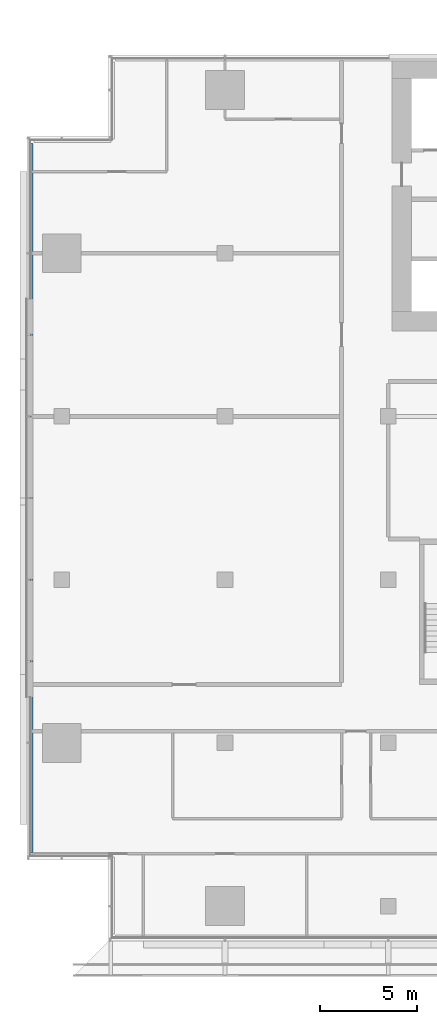
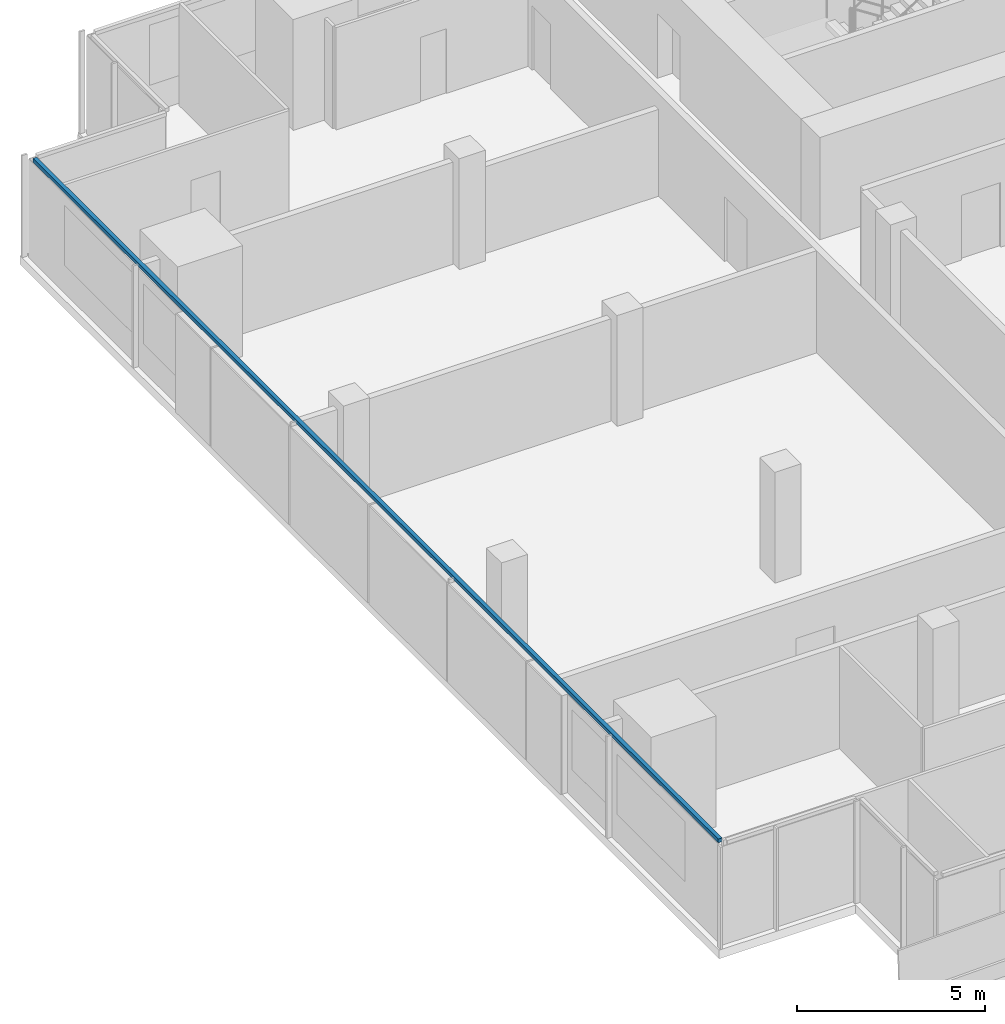
# One storey, part 5 of 30: 1 member, 1 element without a shape of its own.
"""IFC4 building model written with IfcOpenShell, lengths in metres."""

from ifc_helpers import new_model, si_unit, direction, frame, origin, origin_2d, place, context, subcontext, project, spatial, rectangle, extrude, material, material_profile, profile_set, type_object, element, aggregate, save


model = new_model("IFC4")

# Units and contexts
model_context = context("Model", 3, precision=1e-05, world=origin(), true_north=direction((0.0, 1.0)))
body_context = subcontext(model_context, "Body", "Model", "MODEL_VIEW")
ifc_project = project(units=[si_unit("LENGTHUNIT", "METRE"), si_unit("AREAUNIT", "SQUARE_METRE"), si_unit("VOLUMEUNIT", "CUBIC_METRE"), si_unit("PLANEANGLEUNIT", "RADIAN"), si_unit("MASSUNIT", "GRAM", prefix="KILO")], contexts=[model_context])

# Site, building, storey
site_placement = place(None, origin())
site = spatial("IfcSite", under=ifc_project, at=site_placement, CompositionType="ELEMENT")
building_placement = place(site_placement, origin())
building = spatial("IfcBuilding", under=site, at=building_placement, Name="Saffron Gate Tower", CompositionType="ELEMENT")
storey_placement = place(building_placement, frame((0.0, 0.0, 95.25)))
storey = spatial("IfcBuildingStorey", under=building, at=storey_placement, Name="L21", CompositionType="ELEMENT", Elevation=95.25)

# Curtain wall, member
ifc_material = material(Name="Aluminium, bronze anodised", Category="aluminium")
curtain_wall_type = type_object("IfcCurtainWallType", Name="CWS2 curtain wall side facades", PredefinedType="NOTDEFINED", material=ifc_material)
curtain_wall_placement = place(storey_placement, origin())
curtain_wall = element("IfcCurtainWall", 1, at=curtain_wall_placement, inside=storey, type_object=curtain_wall_type, Name="CWS2 run 10", PredefinedType="NOTDEFINED")
ifc_material_profile = material_profile(ifc_material, rectangle(XDim=0.1201171875, YDim=0.1201171875, at=origin_2d()))
ifc_profile_set = profile_set([ifc_material_profile], Name="Aluminium, bronze anodised")
member_type = type_object("IfcMemberType", Name="CWS2 head transom", PredefinedType="USERDEFINED", material=ifc_profile_set)
member_placement = place(storey_placement, frame((48.248046875, 71.031982421875, 3.260009765625), z_axis=(0.0, -1.0, 0.0), x_axis=(1.0, 0.0, 0.0)))
member = element("IfcMember", 2, at=member_placement, type_object=member_type, Name="CWS2 head transom", ObjectType="TRANSOM", PredefinedType="USERDEFINED", context=body_context, shape_type="SweptSolid", body=[
    extrude(rectangle(XDim=0.1201171875, YDim=0.1201171875, at=origin_2d()), origin(), (0.0, 0.0, 1.0), 36.4638671875),
])
aggregate(curtain_wall, [member])

save(model, "model.ifc")
